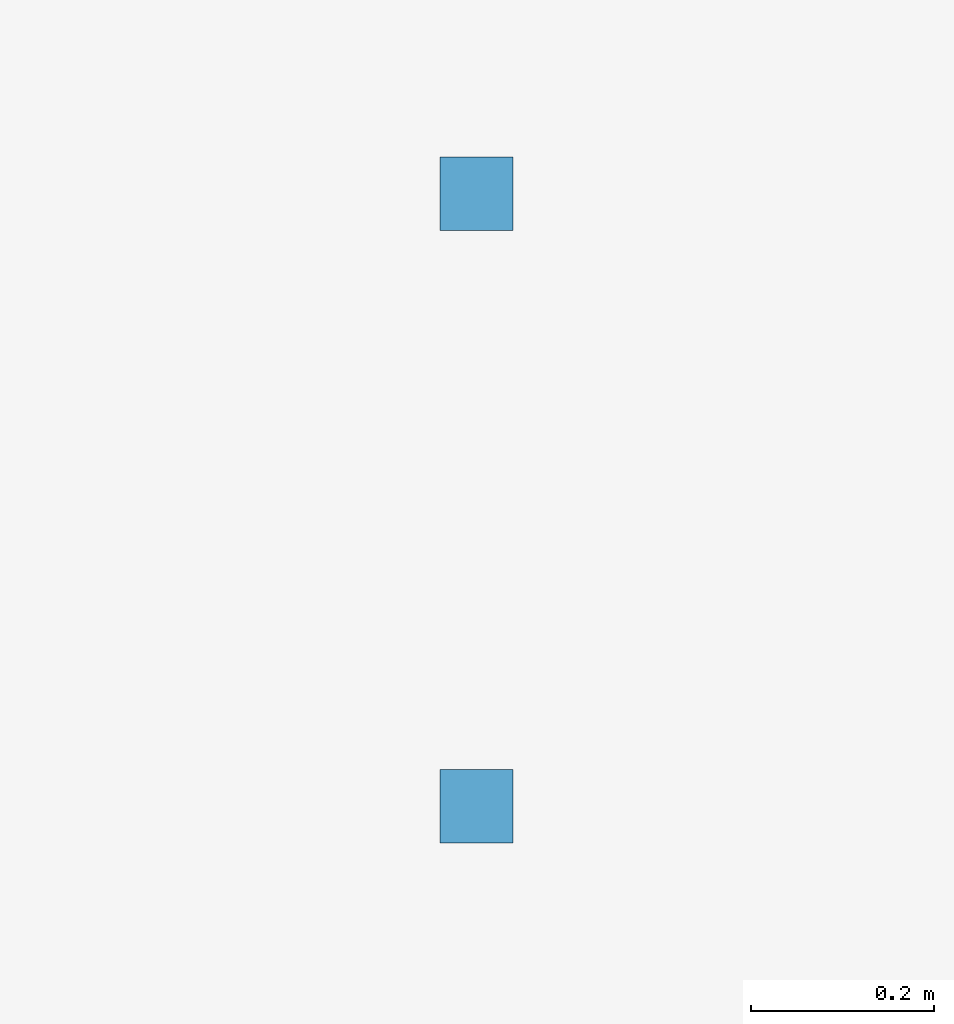
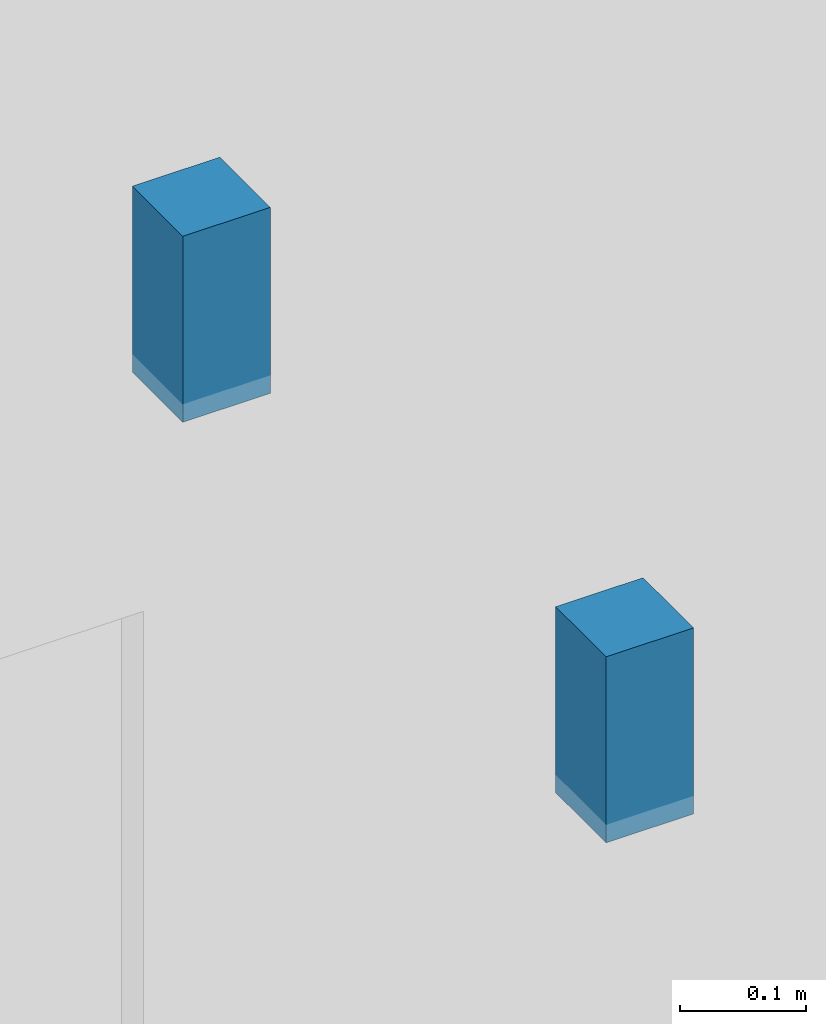
# One storey, part 14 of 21: 2 discrete accessories.
"""IFC4 building model written with IfcOpenShell, lengths in metres."""

from ifc_helpers import new_model, si_unit, direction, frame, origin, origin_2d, place, context, subcontext, project, spatial, rectangle, extrude, material, type_object, element, save


model = new_model("IFC4")

# Units and contexts
model_context = context("Model", 3, precision=1e-05, world=origin(), true_north=direction((0.0, 1.0)))
body_context = subcontext(model_context, "Body", "Model", "MODEL_VIEW")
ifc_project = project(units=[si_unit("LENGTHUNIT", "METRE"), si_unit("AREAUNIT", "SQUARE_METRE"), si_unit("VOLUMEUNIT", "CUBIC_METRE"), si_unit("PLANEANGLEUNIT", "RADIAN"), si_unit("MASSUNIT", "GRAM", prefix="KILO")], contexts=[model_context])

# Site, building, storey
site_placement = place(None, origin())
site = spatial("IfcSite", under=ifc_project, at=site_placement, CompositionType="ELEMENT")
building_placement = place(site_placement, origin())
building = spatial("IfcBuilding", under=site, at=building_placement, Name="Kolvaren Gate Tower and Convention Centre", CompositionType="ELEMENT")
storey_placement = place(building_placement, frame((0.0, 0.0, 226.10009765625)))
storey = spatial("IfcBuildingStorey", under=building, at=storey_placement, Name="L60", CompositionType="ELEMENT", Elevation=226.10009765625)

# Discrete accessories
ifc_material = material(Name="Brushed Stainless Steel Grade 316L", Category="steel")
discrete_accessory_type = type_object("IfcDiscreteAccessoryType", Name="ARCH-ACC-HANGER-80", PredefinedType="BRACKET", material=ifc_material)
for number, where, z_axis, x_axis, name in (
    (1, (33.8349609375, 10.342041015625, 2.85009765625), (0.0, 0.0, 1.0), (1.0, 0.0, 0.0), "Duplex Loft Living Room (APT-L60-02) Ceiling Suspension Hanger Clip 1"),
    (2, (33.8349609375, 11.012939453125, 2.85009765625), (0.0, 0.0, 1.0), (1.0, 0.0, 0.0), "Duplex Loft Living Room (APT-L60-02) Ceiling Suspension Hanger Clip 3"),
):
    element("IfcDiscreteAccessory", number, at=place(storey_placement, frame(where, z_axis=z_axis, x_axis=x_axis)), inside=storey, type_object=discrete_accessory_type, Name=name, PredefinedType="BRACKET", context=body_context, shape_type="SweptSolid", body=[
        extrude(rectangle(XDim=0.080078125, YDim=0.080078125, at=origin_2d()), origin(), (0.0, 0.0, 1.0), 0.179931640625),
    ])

save(model, "model.ifc")
